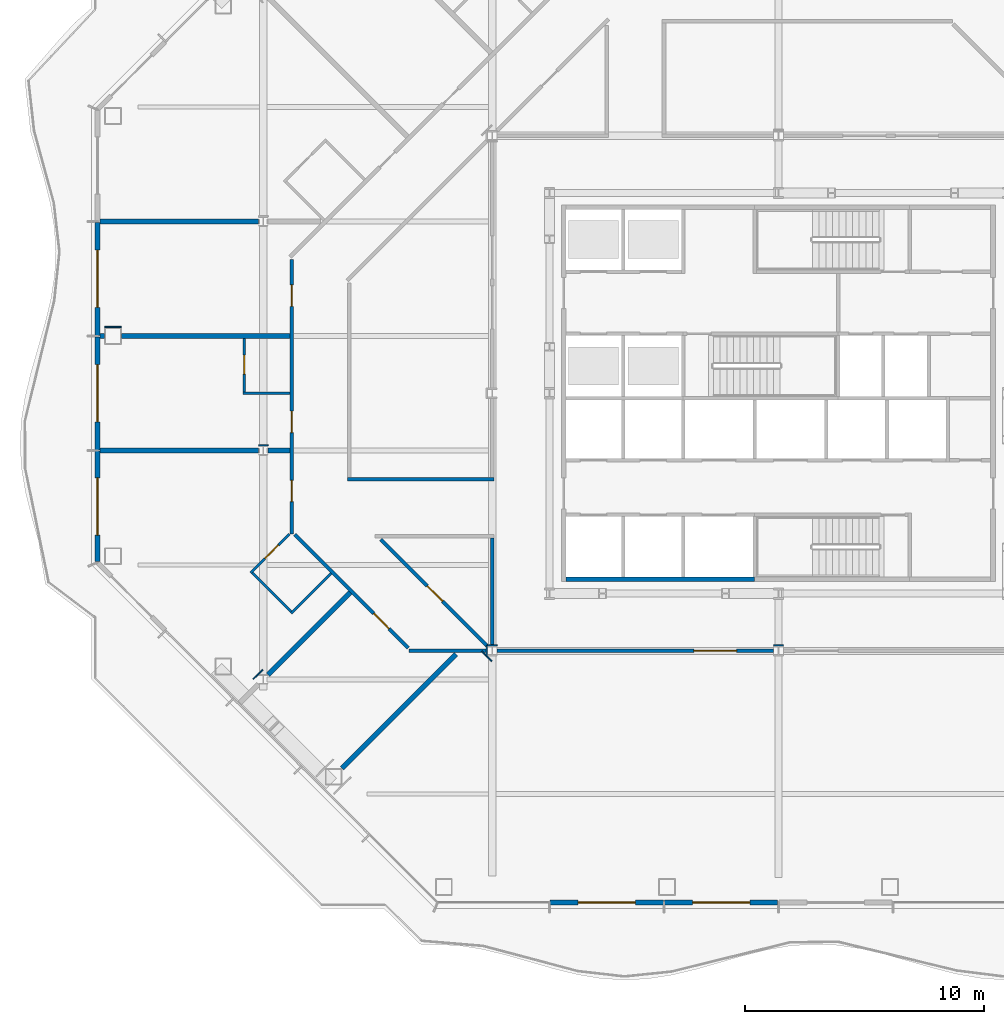
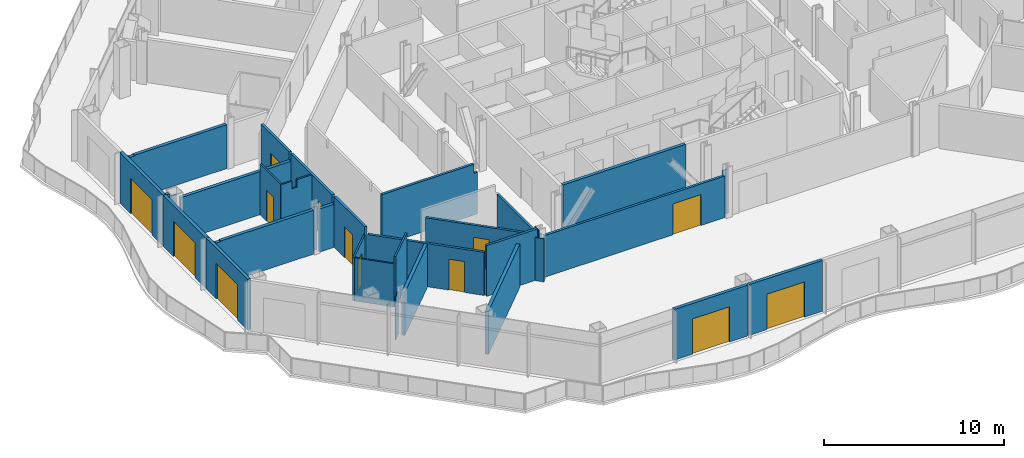
# One storey, part 9 of 24: 32 walls, 13 doors, 13 openings.
"""IFC4 building model written with IfcOpenShell, lengths in metres."""

from ifc_helpers import new_model, si_unit, direction, frame, frame_2d, origin, place, context, subcontext, project, spatial, polyline, rectangle, outline, extrude, material, layer, layer_set, type_object, element, fill, save


model = new_model("IFC4")

# Units and contexts
model_context = context("Model", 3, precision=1e-05, world=origin(), true_north=direction((0.0, 1.0)))
body_context = subcontext(model_context, "Body", "Model", "MODEL_VIEW")
ifc_project = project(units=[si_unit("LENGTHUNIT", "METRE"), si_unit("AREAUNIT", "SQUARE_METRE"), si_unit("VOLUMEUNIT", "CUBIC_METRE"), si_unit("PLANEANGLEUNIT", "RADIAN"), si_unit("MASSUNIT", "GRAM", prefix="KILO")], contexts=[model_context])

# Site, building, storey
site_placement = place(None, origin())
site = spatial("IfcSite", under=ifc_project, at=site_placement, CompositionType="ELEMENT")
building_placement = place(site_placement, origin())
building = spatial("IfcBuilding", under=site, at=building_placement, Name="Cairn Pilgrim Tower", CompositionType="ELEMENT")
storey_placement = place(building_placement, frame((0.0, 0.0, 125.39990234375)))
storey = spatial("IfcBuildingStorey", under=building, at=storey_placement, Name="L30", CompositionType="ELEMENT", Elevation=125.39990234375)

# Wall, opening, door
ifc_material_1 = material(Name="Bronze anodised aluminium insulated sandwich panel with mineral wool fill", Category="aluminium")
ifc_layer_1 = layer(ifc_material_1, 0.199951171875)
ifc_layer_set_1 = layer_set([ifc_layer_1], Name="BRONZE INFILL FRAME WALL 200")
wall_type_1 = type_object("IfcWallType", Name="BRONZE INFILL FRAME WALL 200", PredefinedType="NOTDEFINED", material=ifc_layer_set_1)
wall_1_placement = place(storey_placement, frame((-2.3701171875, -18.949951171875, 0.0), z_axis=(0.0, 0.0, 1.0), x_axis=(1.0, 0.0, 0.0)))
wall_1 = element("IfcWall", 1, at=wall_1_placement, inside=storey, type_object=wall_type_1, Name="Bronze infill frame wall IW-S2", PredefinedType="NOTDEFINED", context=body_context, shape_type="SweptSolid", body=[
    extrude(rectangle(XDim=4.740234375, YDim=0.199951171875, at=frame_2d((2.3701171875, 0.0))), origin(), (0.0, 0.0, 1.0), 3.4501953125),
])
opening_1_placement = place(wall_1_placement, frame((1.169921875, 0.0, 0.0)))
opening_1 = element("IfcOpeningElement", 2, at=opening_1_placement, cuts=wall_1, Name="Opening 3001B2", PredefinedType="OPENING", context=body_context, shape_type="SweptSolid", body=[
    extrude(rectangle(XDim=2.39990234375, YDim=2.39990234375, at=frame_2d((1.199951171875, 1.199951171875))), frame((0.0, 0.10986328125, 0.0), z_axis=(0.0, -1.0, 0.0), x_axis=(1.0, 0.0, 0.0)), (0.0, 0.0, 1.0), 0.219970703125),
])
ifc_material_2 = material(Name="Bronze anodised aluminium frame with tinted low-E glass", Category="aluminium")
door_type_1 = type_object("IfcDoorType", Name="BALCONY SLIDING DOOR 2400x2400", OperationType="DOUBLE_DOOR_SLIDING", PredefinedType="DOOR", material=ifc_material_2)
door_1_placement = place(opening_1_placement, origin())
door_1 = element("IfcDoor", 3, at=door_1_placement, inside=storey, type_object=door_type_1, Name="Balcony sliding door 3001B2", OperationType="SINGLE_SWING_LEFT", OverallHeight=2.39990234375, OverallWidth=2.39990234375, PredefinedType="DOOR", context=body_context, shape_type="SweptSolid", body=[
    extrude(rectangle(XDim=2.39990234375, YDim=2.39990234375, at=frame_2d((1.199951171875, 1.199951171875))), frame((0.0, 0.02490234375, 0.0), z_axis=(0.0, -1.0, 0.0), x_axis=(1.0, 0.0, 0.0)), (0.0, 0.0, 1.0), 0.050048828125),
])
fill(opening_1, door_1)

wall_2_placement = place(storey_placement, frame((2.429931640625, -18.949951171875, 0.0), z_axis=(0.0, 0.0, 1.0), x_axis=(1.0, 0.0, 0.0)))
wall_2 = element("IfcWall", 4, at=wall_2_placement, inside=storey, type_object=wall_type_1, Name="Bronze infill frame wall IW-S3", PredefinedType="NOTDEFINED", context=body_context, shape_type="SweptSolid", body=[
    extrude(rectangle(XDim=4.739990234375, YDim=0.199951171875, at=frame_2d((2.3701171875, 0.0))), origin(), (0.0, 0.0, 1.0), 3.4501953125),
])
opening_2_placement = place(wall_2_placement, frame((1.169921875, 0.0, 0.0)))
opening_2 = element("IfcOpeningElement", 5, at=opening_2_placement, cuts=wall_2, Name="Opening 3001B", PredefinedType="OPENING", context=body_context, shape_type="SweptSolid", body=[
    extrude(rectangle(XDim=2.39990234375, YDim=2.39990234375, at=frame_2d((1.199951171875, 1.199951171875))), frame((0.0, 0.10986328125, 0.0), z_axis=(0.0, -1.0, 0.0), x_axis=(1.0, 0.0, 0.0)), (0.0, 0.0, 1.0), 0.219970703125),
])
door_2_placement = place(opening_2_placement, origin())
door_2 = element("IfcDoor", 6, at=door_2_placement, inside=storey, type_object=door_type_1, Name="Balcony sliding door 3001B", OperationType="SINGLE_SWING_LEFT", OverallHeight=2.39990234375, OverallWidth=2.39990234375, PredefinedType="DOOR", context=body_context, shape_type="SweptSolid", body=[
    extrude(rectangle(XDim=2.39990234375, YDim=2.39990234375, at=frame_2d((1.199951171875, 1.199951171875))), frame((0.0, 0.02490234375, 0.0), z_axis=(0.0, -1.0, 0.0), x_axis=(1.0, 0.0, 0.0)), (0.0, 0.0, 1.0), 0.050048828125),
])
fill(opening_2, door_2)

wall_3_placement = place(storey_placement, frame((-21.35009765625, 9.570068359375, 0.0), z_axis=(0.0, 0.0, 1.0), x_axis=(0.0, -1.0, 0.0)))
wall_3 = element("IfcWall", 7, at=wall_3_placement, inside=storey, type_object=wall_type_1, Name="Bronze infill frame wall IW-W2", PredefinedType="NOTDEFINED", context=body_context, shape_type="SweptSolid", body=[
    extrude(rectangle(XDim=4.739990234375, YDim=0.199951171875, at=frame_2d((2.3701171875, 0.0))), origin(), (0.0, 0.0, 1.0), 3.4501953125),
])
opening_3_placement = place(wall_3_placement, frame((1.169921875, 0.0, 0.0)))
opening_3 = element("IfcOpeningElement", 8, at=opening_3_placement, cuts=wall_3, Name="Opening 3013B", PredefinedType="OPENING", context=body_context, shape_type="SweptSolid", body=[
    extrude(rectangle(XDim=2.39990234375, YDim=2.39990234375, at=frame_2d((1.199951171875, 1.199951171875))), frame((0.0, 0.10986328125, 0.0), z_axis=(0.0, -1.0, 0.0), x_axis=(1.0, 0.0, 0.0)), (0.0, 0.0, 1.0), 0.219970703125),
])
door_3_placement = place(opening_3_placement, origin())
door_3 = element("IfcDoor", 9, at=door_3_placement, inside=storey, type_object=door_type_1, Name="Balcony sliding door 3013B", OperationType="SINGLE_SWING_LEFT", OverallHeight=2.39990234375, OverallWidth=2.39990234375, PredefinedType="DOOR", context=body_context, shape_type="SweptSolid", body=[
    extrude(rectangle(XDim=2.39990234375, YDim=2.39990234375, at=frame_2d((1.199951171875, 1.199951171875))), frame((0.0, 0.02490234375, 0.0), z_axis=(0.0, -1.0, 0.0), x_axis=(1.0, 0.0, 0.0)), (0.0, 0.0, 1.0), 0.050048828125),
])
fill(opening_3, door_3)

wall_4_placement = place(storey_placement, frame((-21.35009765625, 4.77001953125, 0.0), z_axis=(0.0, 0.0, 1.0), x_axis=(0.0, -1.0, 0.0)))
wall_4 = element("IfcWall", 10, at=wall_4_placement, inside=storey, type_object=wall_type_1, Name="Bronze infill frame wall IW-W3", PredefinedType="NOTDEFINED", context=body_context, shape_type="SweptSolid", body=[
    extrude(rectangle(XDim=4.739990234375, YDim=0.199951171875, at=frame_2d((2.3701171875, 0.0))), origin(), (0.0, 0.0, 1.0), 3.4501953125),
])
opening_4_placement = place(wall_4_placement, frame((1.169921875, 0.0, 0.0)))
opening_4 = element("IfcOpeningElement", 11, at=opening_4_placement, cuts=wall_4, Name="Opening 3014B", PredefinedType="OPENING", context=body_context, shape_type="SweptSolid", body=[
    extrude(rectangle(XDim=2.39990234375, YDim=2.39990234375, at=frame_2d((1.199951171875, 1.199951171875))), frame((0.0, 0.10986328125, 0.0), z_axis=(0.0, -1.0, 0.0), x_axis=(1.0, 0.0, 0.0)), (0.0, 0.0, 1.0), 0.219970703125),
])
door_4_placement = place(opening_4_placement, origin())
door_4 = element("IfcDoor", 12, at=door_4_placement, inside=storey, type_object=door_type_1, Name="Balcony sliding door 3014B", OperationType="SINGLE_SWING_LEFT", OverallHeight=2.39990234375, OverallWidth=2.39990234375, PredefinedType="DOOR", context=body_context, shape_type="SweptSolid", body=[
    extrude(rectangle(XDim=2.39990234375, YDim=2.39990234375, at=frame_2d((1.199951171875, 1.199951171875))), frame((0.0, 0.02490234375, 0.0), z_axis=(0.0, -1.0, 0.0), x_axis=(1.0, 0.0, 0.0)), (0.0, 0.0, 1.0), 0.050048828125),
])
fill(opening_4, door_4)

wall_5_placement = place(storey_placement, frame((-21.35009765625, -0.030029296875, 0.0), z_axis=(0.0, 0.0, 1.0), x_axis=(0.0, -1.0, 0.0)))
wall_5 = element("IfcWall", 13, at=wall_5_placement, inside=storey, type_object=wall_type_1, Name="Bronze infill frame wall IW-W4", PredefinedType="NOTDEFINED", context=body_context, shape_type="SweptSolid", body=[
    extrude(rectangle(XDim=4.62646484375, YDim=0.199951171875, at=frame_2d((2.313232421875, 0.0))), origin(), (0.0, 0.0, 1.0), 3.4501953125),
])
opening_5_placement = place(wall_5_placement, frame((1.117919921875, 0.0, 0.0)))
opening_5 = element("IfcOpeningElement", 14, at=opening_5_placement, cuts=wall_5, Name="Opening 3015B", PredefinedType="OPENING", context=body_context, shape_type="SweptSolid", body=[
    extrude(rectangle(XDim=2.39990234375, YDim=2.39990234375, at=frame_2d((1.199951171875, 1.199951171875))), frame((0.0, 0.10986328125, 0.0), z_axis=(0.0, -1.0, 0.0), x_axis=(1.0, 0.0, 0.0)), (0.0, 0.0, 1.0), 0.219970703125),
])
door_5_placement = place(opening_5_placement, origin())
door_5 = element("IfcDoor", 15, at=door_5_placement, inside=storey, type_object=door_type_1, Name="Balcony sliding door 3015B", OperationType="SINGLE_SWING_LEFT", OverallHeight=2.39990234375, OverallWidth=2.39990234375, PredefinedType="DOOR", context=body_context, shape_type="SweptSolid", body=[
    extrude(rectangle(XDim=2.39990234375, YDim=2.39990234375, at=frame_2d((1.199951171875, 1.199951171875))), frame((0.0, 0.02490234375, 0.0), z_axis=(0.0, -1.0, 0.0), x_axis=(1.0, 0.0, 0.0)), (0.0, 0.0, 1.0), 0.050048828125),
])
fill(opening_5, door_5)

# Walls
ifc_material_3 = material(Name="Concrete C32/40", Category="concrete")
ifc_layer_2 = layer(ifc_material_3, 0.199951171875)
ifc_layer_set_2 = layer_set([ifc_layer_2], Name="CORE OUTER WALL 200 EI 120")
wall_type_2 = type_object("IfcWallType", Name="CORE OUTER WALL 200 EI 120", PredefinedType="SOLIDWALL", material=ifc_layer_set_2)
wall_6_placement = place(storey_placement, frame((-1.699951171875, -5.39990234375, 0.0), z_axis=(0.0, 0.0, 1.0), x_axis=(1.0, 0.0, 0.0)))
element("IfcWall", 16, at=wall_6_placement, inside=storey, type_object=wall_type_2, Name="CW:L30:H01-1", PredefinedType="SOLIDWALL", context=body_context, shape_type="SweptSolid", body=[
    extrude(rectangle(XDim=7.89990234375, YDim=0.199951171875, at=frame_2d((3.949951171875, 0.0))), origin(), (0.0, 0.0, 1.0), 3.4501953125),
])
ifc_material_4 = material(Name="Gypsum partition")
ifc_layer_3 = layer(ifc_material_4, 0.10009765625)
ifc_layer_set_3 = layer_set([ifc_layer_3], Name="PARTITION 100 DRYWALL")
wall_type_3 = type_object("IfcWallType", Name="PARTITION 100 DRYWALL", PredefinedType="PARTITIONING", material=ifc_layer_set_3)
wall_7_placement = place(storey_placement, frame((-13.2353515625, -6.752685546875, 0.0), z_axis=(0.0, 0.0, 1.0), x_axis=(-0.707106781187, 0.707106781187, 0.0)))
element("IfcWall", 17, at=wall_7_placement, inside=storey, type_object=wall_type_3, Name="PARTITION W016", PredefinedType="PARTITIONING", context=body_context, shape_type="SweptSolid", body=[
    extrude(rectangle(XDim=2.2998046875, YDim=0.10009765625, at=frame_2d((1.14990234375, 0.0))), origin(), (0.0, 0.0, 1.0), 2.93017578125),
])
wall_8_placement = place(storey_placement, frame((-13.2353515625, -6.823486328125, 0.0), z_axis=(0.0, 0.0, 1.0), x_axis=(0.707106781187, 0.707106781187, 0.0)))
element("IfcWall", 18, at=wall_8_placement, inside=storey, type_object=wall_type_3, Name="PARTITION W017", PredefinedType="PARTITIONING", context=body_context, shape_type="SweptSolid", body=[
    extrude(rectangle(XDim=2.375, YDim=0.10009765625, at=frame_2d((1.1875, 0.0))), origin(), (0.0, 0.0, 1.0), 3.4501953125),
])

# Wall, opening, door
wall_9_placement = place(storey_placement, frame((-14.932373046875, -5.12646484375, 0.0), z_axis=(0.0, 0.0, 1.0), x_axis=(0.707106781187, 0.707106781187, 0.0)))
wall_9 = element("IfcWall", 19, at=wall_9_placement, inside=storey, type_object=wall_type_3, Name="PARTITION W019", PredefinedType="PARTITIONING", context=body_context, shape_type="SweptSolid", body=[
    extrude(rectangle(XDim=2.2939453125, YDim=0.10009765625, at=frame_2d((1.14697265625, 0.0))), origin(), (0.0, 0.0, 1.0), 2.93017578125),
])
opening_6_placement = place(wall_9_placement, frame((0.849853515625, 0.0, 0.0)))
opening_6 = element("IfcOpeningElement", 20, at=opening_6_placement, cuts=wall_9, Name="Opening 3015A", PredefinedType="OPENING", context=body_context, shape_type="SweptSolid", body=[
    extrude(rectangle(XDim=0.800048828125, YDim=2.10009765625, at=frame_2d((0.39990234375, 1.050048828125))), frame((0.0, 0.06005859375, 0.0), z_axis=(0.0, -1.0, 0.0), x_axis=(1.0, 0.0, 0.0)), (0.0, 0.0, 1.0), 0.1201171875),
])
ifc_material_5 = material(Name="Timber door leaf", Category="wood")
door_type_2 = type_object("IfcDoorType", Name="WC DOOR 800x2100", OperationType="NOTDEFINED", PredefinedType="DOOR", material=ifc_material_5)
door_6_placement = place(opening_6_placement, origin())
door_6 = element("IfcDoor", 21, at=door_6_placement, inside=storey, type_object=door_type_2, Name="DOOR 3015A", OperationType="SINGLE_SWING_RIGHT", OverallHeight=2.10009765625, OverallWidth=0.800048828125, PredefinedType="DOOR", context=body_context, shape_type="SweptSolid", body=[
    extrude(rectangle(XDim=0.800048828125, YDim=2.10009765625, at=frame_2d((0.39990234375, 1.050048828125))), frame((0.0, 0.02490234375, 0.0), z_axis=(0.0, -1.0, 0.0), x_axis=(1.0, 0.0, 0.0)), (0.0, 0.0, 1.0), 0.050048828125),
])
fill(opening_6, door_6)

# Wall
wall_10_placement = place(storey_placement, frame((-15.25, 2.39990234375, 0.0), z_axis=(0.0, 0.0, 1.0), x_axis=(1.0, 0.0, 0.0)))
element("IfcWall", 22, at=wall_10_placement, inside=storey, type_object=wall_type_3, Name="PARTITION W039", PredefinedType="PARTITIONING", context=body_context, shape_type="SweptSolid", body=[
    extrude(outline(polyline([(0.0, 0.0), (1.97509765625, 0.0), (1.97509765625, 3.4501953125), (1.0, 3.4501953125), (0.998046875, 2.93017578125), (0.699951171875, 2.93017578125), (0.697998046875, 3.4501953125), (0.0, 3.4501953125), (0.0, 0.0)])), frame((0.0, 0.050048828125, 0.0), z_axis=(0.0, -1.0, 0.0), x_axis=(1.0, 0.0, 0.0)), (0.0, 0.0, 1.0), 0.10009765625),
])

# Wall, opening, door
wall_11_placement = place(storey_placement, frame((-15.199951171875, 2.449951171875, 0.0), z_axis=(0.0, 0.0, 1.0), x_axis=(0.0, 1.0, 0.0)))
wall_11 = element("IfcWall", 23, at=wall_11_placement, inside=storey, type_object=wall_type_3, Name="PARTITION W040", PredefinedType="PARTITIONING", context=body_context, shape_type="SweptSolid", body=[
    extrude(rectangle(XDim=2.25, YDim=0.10009765625, at=frame_2d((1.125, 0.0))), origin(), (0.0, 0.0, 1.0), 3.4501953125),
])
opening_7_placement = place(wall_11_placement, frame((0.75, 0.0, 0.0)))
opening_7 = element("IfcOpeningElement", 24, at=opening_7_placement, cuts=wall_11, Name="Opening 3014A", PredefinedType="OPENING", context=body_context, shape_type="SweptSolid", body=[
    extrude(rectangle(XDim=0.800048828125, YDim=2.10009765625, at=frame_2d((0.39990234375, 1.050048828125))), frame((0.0, 0.06005859375, 0.0), z_axis=(0.0, -1.0, 0.0), x_axis=(1.0, 0.0, 0.0)), (0.0, 0.0, 1.0), 0.1201171875),
])
door_7_placement = place(opening_7_placement, origin())
door_7 = element("IfcDoor", 25, at=door_7_placement, inside=storey, type_object=door_type_2, Name="DOOR 3014A", OperationType="SINGLE_SWING_RIGHT", OverallHeight=2.10009765625, OverallWidth=0.800048828125, PredefinedType="DOOR", context=body_context, shape_type="SweptSolid", body=[
    extrude(rectangle(XDim=0.800048828125, YDim=2.10009765625, at=frame_2d((0.39990234375, 1.050048828125))), frame((0.0, 0.02490234375, 0.0), z_axis=(0.0, -1.0, 0.0), x_axis=(1.0, 0.0, 0.0)), (0.0, 0.0, 1.0), 0.050048828125),
])
fill(opening_7, door_7)

# Wall
ifc_layer_4 = layer(ifc_material_4, 0.14990234375)
ifc_layer_set_4 = layer_set([ifc_layer_4], Name="PARTITION 150 DRYWALL EI 60")
wall_type_4 = type_object("IfcWallType", Name="PARTITION 150 DRYWALL EI 60", PredefinedType="PARTITIONING", material=ifc_layer_set_4)
wall_12_placement = place(storey_placement, frame((-8.300048828125, -8.39990234375, 0.0), z_axis=(0.0, 0.0, 1.0), x_axis=(1.0, 0.0, 0.0)))
element("IfcWall", 26, at=wall_12_placement, inside=storey, type_object=wall_type_4, Name="PARTITION W006", PredefinedType="PARTITIONING", context=body_context, shape_type="SweptSolid", body=[
    extrude(rectangle(XDim=3.295654296875, YDim=0.14990234375, at=frame_2d((1.64794921875, 0.0))), origin(), (0.0, 0.0, 1.0), 3.4501953125),
])

# Wall, opening, door
wall_13_placement = place(storey_placement, frame((-4.595458984375, -8.39990234375, 0.0), z_axis=(0.0, 0.0, 1.0), x_axis=(1.0, 0.0, 0.0)))
wall_13 = element("IfcWall", 27, at=wall_13_placement, inside=storey, type_object=wall_type_4, Name="PARTITION W007", PredefinedType="PARTITIONING", context=body_context, shape_type="SweptSolid", body=[
    extrude(rectangle(XDim=11.591064453125, YDim=0.14990234375, at=frame_2d((5.79541015625, 0.0))), origin(), (0.0, 0.0, 1.0), 2.830078125),
])
opening_8_placement = place(wall_13_placement, frame((8.245361328125, 0.0, 0.0)))
opening_8 = element("IfcOpeningElement", 28, at=opening_8_placement, cuts=wall_13, Name="Opening 3001A", PredefinedType="OPENING", context=body_context, shape_type="SweptSolid", body=[
    extrude(rectangle(XDim=1.800048828125, YDim=2.10009765625, at=frame_2d((0.89990234375, 1.050048828125))), frame((0.0, 0.0849609375, 0.0), z_axis=(0.0, -1.0, 0.0), x_axis=(1.0, 0.0, 0.0)), (0.0, 0.0, 1.0), 0.169921875),
])
door_type_3 = type_object("IfcDoorType", Name="DOOR PAIR 1800x2100 FD60S", OperationType="NOTDEFINED", PredefinedType="DOOR", material=ifc_material_5)
door_8_placement = place(opening_8_placement, frame((1.800048828125, 0.0, 0.0), z_axis=(0.0, 0.0, 1.0), x_axis=(-1.0, 0.0, 0.0)))
door_8 = element("IfcDoor", 29, at=door_8_placement, inside=storey, type_object=door_type_3, Name="DOOR 3001A", OperationType="DOUBLE_DOOR_SINGLE_SWING", OverallHeight=2.10009765625, OverallWidth=1.800048828125, PredefinedType="DOOR", context=body_context, shape_type="SweptSolid", body=[
    extrude(rectangle(XDim=1.800048828125, YDim=2.10009765625, at=frame_2d((0.89990234375, 1.050048828125))), frame((0.0, 0.02490234375, 0.0), z_axis=(0.0, -1.0, 0.0), x_axis=(1.0, 0.0, 0.0)), (0.0, 0.0, 1.0), 0.050048828125),
])
fill(opening_8, door_8)

wall_14_placement = place(storey_placement, frame((-8.322021484375, -8.27197265625, 0.0), z_axis=(0.0, 0.0, 1.0), x_axis=(-0.707106781187, 0.707106781187, 0.0)))
wall_14 = element("IfcWall", 30, at=wall_14_placement, inside=storey, type_object=wall_type_4, Name="PARTITION W010", PredefinedType="PARTITIONING", context=body_context, shape_type="SweptSolid", body=[
    extrude(rectangle(XDim=6.717529296875, YDim=0.14990234375, at=frame_2d((3.35888671875, 0.0))), origin(), (0.0, 0.0, 1.0), 2.93017578125),
])
opening_9_placement = place(wall_14_placement, frame((1.138916015625, 0.0, 0.0)))
opening_9 = element("IfcOpeningElement", 31, at=opening_9_placement, cuts=wall_14, Name="Opening 3016", PredefinedType="OPENING", context=body_context, shape_type="SweptSolid", body=[
    extrude(rectangle(XDim=0.89990234375, YDim=2.10009765625, at=frame_2d((0.449951171875, 1.050048828125))), frame((0.0, 0.0849609375, 0.0), z_axis=(0.0, -1.0, 0.0), x_axis=(1.0, 0.0, 0.0)), (0.0, 0.0, 1.0), 0.169921875),
])
door_type_4 = type_object("IfcDoorType", Name="SERVICE DOOR 900x2100 FD30S", OperationType="NOTDEFINED", PredefinedType="DOOR", material=ifc_material_5)
door_9_placement = place(opening_9_placement, origin())
door_9 = element("IfcDoor", 32, at=door_9_placement, inside=storey, type_object=door_type_4, Name="DOOR 3016", OperationType="SINGLE_SWING_RIGHT", OverallHeight=2.10009765625, OverallWidth=0.89990234375, PredefinedType="DOOR", context=body_context, shape_type="SweptSolid", body=[
    extrude(rectangle(XDim=0.89990234375, YDim=2.10009765625, at=frame_2d((0.449951171875, 1.050048828125))), frame((0.0, 0.02490234375, 0.0), z_axis=(0.0, -1.0, 0.0), x_axis=(1.0, 0.0, 0.0)), (0.0, 0.0, 1.0), 0.050048828125),
])
fill(opening_9, door_9)

wall_15_placement = place(storey_placement, frame((-5.008544921875, -8.19140625, 0.0), z_axis=(0.0, 0.0, 1.0), x_axis=(-0.707106781187, 0.707106781187, 0.0)))
wall_15 = element("IfcWall", 33, at=wall_15_placement, inside=storey, type_object=wall_type_4, Name="PARTITION W012", PredefinedType="PARTITIONING", context=body_context, shape_type="SweptSolid", body=[
    extrude(rectangle(XDim=6.312255859375, YDim=0.14990234375, at=frame_2d((3.15625, 0.0))), origin(), (0.0, 0.0, 1.0), 2.93017578125),
])
opening_10_placement = place(wall_15_placement, frame((2.6494140625, 0.0, 0.0)))
opening_10 = element("IfcOpeningElement", 34, at=opening_10_placement, cuts=wall_15, Name="Opening 3024", PredefinedType="OPENING", context=body_context, shape_type="SweptSolid", body=[
    extrude(rectangle(XDim=0.89990234375, YDim=2.10009765625, at=frame_2d((0.449951171875, 1.050048828125))), frame((0.0, 0.0849609375, 0.0), z_axis=(0.0, -1.0, 0.0), x_axis=(1.0, 0.0, 0.0)), (0.0, 0.0, 1.0), 0.169921875),
])
door_10_placement = place(opening_10_placement, frame((0.89990234375, 0.0, 0.0), z_axis=(0.0, 0.0, 1.0), x_axis=(-1.0, 0.0, 0.0)))
door_10 = element("IfcDoor", 35, at=door_10_placement, inside=storey, type_object=door_type_4, Name="DOOR 3024", OperationType="SINGLE_SWING_LEFT", OverallHeight=2.10009765625, OverallWidth=0.89990234375, PredefinedType="DOOR", context=body_context, shape_type="SweptSolid", body=[
    extrude(rectangle(XDim=0.89990234375, YDim=2.10009765625, at=frame_2d((0.449951171875, 1.050048828125))), frame((0.0, 0.02490234375, 0.0), z_axis=(0.0, -1.0, 0.0), x_axis=(1.0, 0.0, 0.0)), (0.0, 0.0, 1.0), 0.050048828125),
])
fill(opening_10, door_10)

# Wall
wall_16_placement = place(storey_placement, frame((-4.800048828125, -8.1875, 0.0), z_axis=(0.0, 0.0, 1.0), x_axis=(0.0, 1.0, 0.0)))
element("IfcWall", 36, at=wall_16_placement, inside=storey, type_object=wall_type_4, Name="PARTITION W013", PredefinedType="PARTITIONING", context=body_context, shape_type="SweptSolid", body=[
    extrude(rectangle(XDim=4.512451171875, YDim=0.14990234375, at=frame_2d((2.25634765625, 0.0))), origin(), (0.0, 0.0, 1.0), 2.830078125),
])

# Wall, openings, doors
wall_17_placement = place(storey_placement, frame((-13.199951171875, -3.5, 0.0), z_axis=(0.0, 0.0, 1.0), x_axis=(0.0, 1.0, 0.0)))
wall_17 = element("IfcWall", 37, at=wall_17_placement, inside=storey, type_object=wall_type_4, Name="PARTITION W023", PredefinedType="PARTITIONING", context=body_context, shape_type="SweptSolid", body=[
    extrude(outline(polyline([(0.0, 0.0), (11.512939453125, 0.0), (11.512939453125, 3.4501953125), (8.400146484375, 3.4501953125), (8.398193359375, 2.93017578125), (8.2001953125, 2.93017578125), (8.197998046875, 3.4501953125), (3.60009765625, 3.4501953125), (3.59814453125, 2.93017578125), (3.400146484375, 2.93017578125), (3.398193359375, 3.4501953125), (0.0, 3.4501953125), (0.0, 0.0)])), frame((0.0, 0.074951171875, 0.0), z_axis=(0.0, -1.0, 0.0), x_axis=(1.0, 0.0, 0.0)), (0.0, 0.0, 1.0), 0.14990234375),
])
opening_11_placement = place(wall_17_placement, frame((9.547119140625, 0.0, 0.0)))
opening_11 = element("IfcOpeningElement", 38, at=opening_11_placement, cuts=wall_17, Name="Opening 3013", PredefinedType="OPENING", context=body_context, shape_type="SweptSolid", body=[
    extrude(rectangle(XDim=0.89990234375, YDim=2.10009765625, at=frame_2d((0.449951171875, 1.050048828125))), frame((0.0, 0.0849609375, 0.0), z_axis=(0.0, -1.0, 0.0), x_axis=(1.0, 0.0, 0.0)), (0.0, 0.0, 1.0), 0.169921875),
])
opening_12_placement = place(wall_17_placement, frame((4.25, 0.0, 0.0)))
opening_12 = element("IfcOpeningElement", 39, at=opening_12_placement, cuts=wall_17, Name="Opening 3014", PredefinedType="OPENING", context=body_context, shape_type="SweptSolid", body=[
    extrude(rectangle(XDim=0.89990234375, YDim=2.10009765625, at=frame_2d((0.449951171875, 1.050048828125))), frame((0.0, 0.0849609375, 0.0), z_axis=(0.0, -1.0, 0.0), x_axis=(1.0, 0.0, 0.0)), (0.0, 0.0, 1.0), 0.169921875),
])
opening_13_placement = place(wall_17_placement, frame((1.35302734375, 0.0, 0.0)))
opening_13 = element("IfcOpeningElement", 40, at=opening_13_placement, cuts=wall_17, Name="Opening 3015", PredefinedType="OPENING", context=body_context, shape_type="SweptSolid", body=[
    extrude(rectangle(XDim=0.89990234375, YDim=2.10009765625, at=frame_2d((0.449951171875, 1.050048828125))), frame((0.0, 0.0849609375, 0.0), z_axis=(0.0, -1.0, 0.0), x_axis=(1.0, 0.0, 0.0)), (0.0, 0.0, 1.0), 0.169921875),
])
door_type_5 = type_object("IfcDoorType", Name="ROOM DOOR 900x2100 FD30S", OperationType="NOTDEFINED", PredefinedType="DOOR", material=ifc_material_5)
door_11_placement = place(opening_11_placement, origin())
door_11 = element("IfcDoor", 41, at=door_11_placement, inside=storey, type_object=door_type_5, Name="DOOR 3013", OperationType="SINGLE_SWING_RIGHT", OverallHeight=2.10009765625, OverallWidth=0.89990234375, PredefinedType="DOOR", context=body_context, shape_type="SweptSolid", body=[
    extrude(rectangle(XDim=0.89990234375, YDim=2.10009765625, at=frame_2d((0.449951171875, 1.050048828125))), frame((0.0, 0.02490234375, 0.0), z_axis=(0.0, -1.0, 0.0), x_axis=(1.0, 0.0, 0.0)), (0.0, 0.0, 1.0), 0.050048828125),
])
fill(opening_11, door_11)
door_12_placement = place(opening_12_placement, origin())
door_12 = element("IfcDoor", 42, at=door_12_placement, inside=storey, type_object=door_type_5, Name="DOOR 3014", OperationType="SINGLE_SWING_RIGHT", OverallHeight=2.10009765625, OverallWidth=0.89990234375, PredefinedType="DOOR", context=body_context, shape_type="SweptSolid", body=[
    extrude(rectangle(XDim=0.89990234375, YDim=2.10009765625, at=frame_2d((0.449951171875, 1.050048828125))), frame((0.0, 0.02490234375, 0.0), z_axis=(0.0, -1.0, 0.0), x_axis=(1.0, 0.0, 0.0)), (0.0, 0.0, 1.0), 0.050048828125),
])
fill(opening_12, door_12)
door_13_placement = place(opening_13_placement, origin())
door_13 = element("IfcDoor", 43, at=door_13_placement, inside=storey, type_object=door_type_5, Name="DOOR 3015", OperationType="SINGLE_SWING_RIGHT", OverallHeight=2.10009765625, OverallWidth=0.89990234375, PredefinedType="DOOR", context=body_context, shape_type="SweptSolid", body=[
    extrude(rectangle(XDim=0.89990234375, YDim=2.10009765625, at=frame_2d((0.449951171875, 1.050048828125))), frame((0.0, 0.02490234375, 0.0), z_axis=(0.0, -1.0, 0.0), x_axis=(1.0, 0.0, 0.0)), (0.0, 0.0, 1.0), 0.050048828125),
])
fill(opening_13, door_13)

# Walls
wall_18_placement = place(storey_placement, frame((-10.875, -1.199951171875, 0.0), z_axis=(0.0, 0.0, 1.0), x_axis=(1.0, 0.0, 0.0)))
element("IfcWall", 44, at=wall_18_placement, inside=storey, type_object=wall_type_4, Name="PARTITION W026", PredefinedType="PARTITIONING", context=body_context, shape_type="SweptSolid", body=[
    extrude(outline(polyline([(0.0, 0.0), (6.14990234375, 0.0), (6.14990234375, 2.830078125), (5.925048828125, 2.830078125), (5.923095703125, 3.4501953125), (0.0, 3.4501953125), (0.0, 0.0)])), frame((0.0, 0.074951171875, 0.0), z_axis=(0.0, -1.0, 0.0), x_axis=(1.0, 0.0, 0.0)), (0.0, 0.0, 1.0), 0.14990234375),
])
ifc_layer_5 = layer(ifc_material_4, 0.050048828125)
ifc_layer_set_5 = layer_set([ifc_layer_5], Name="PARTITION 50 DRYWALL EI 60")
wall_type_5 = type_object("IfcWallType", Name="PARTITION 50 DRYWALL EI 60", PredefinedType="PARTITIONING", material=ifc_layer_set_5)
wall_19_placement = place(storey_placement, frame((-14.813720703125, -9.582275390625, 0.0), z_axis=(0.0, 0.0, 1.0), x_axis=(0.707106781187, 0.707106781187, 0.0)))
element("IfcWall", 45, at=wall_19_placement, inside=storey, type_object=wall_type_5, Name="COLUMN CASING WC05", PredefinedType="PARTITIONING", context=body_context, shape_type="SweptSolid", body=[
    extrude(rectangle(XDim=0.56005859375, YDim=0.050048828125, at=frame_2d((0.280029296875, 0.0))), origin(), (0.0, 0.0, 1.0), 2.93017578125),
])
wall_20_placement = place(storey_placement, frame((-5.00439453125, -8.16259765625, 0.0), z_axis=(0.0, 0.0, 1.0), x_axis=(1.0, 0.0, 0.0)))
element("IfcWall", 46, at=wall_20_placement, inside=storey, type_object=wall_type_5, Name="COLUMN CASING WC08", PredefinedType="PARTITIONING", context=body_context, shape_type="SweptSolid", body=[
    extrude(rectangle(XDim=0.408935546875, YDim=0.050048828125, at=frame_2d((0.20458984375, 0.0))), origin(), (0.0, 0.0, 1.0), 2.830078125),
])
wall_21_placement = place(storey_placement, frame((6.99560546875, -8.16259765625, 0.0), z_axis=(0.0, 0.0, 1.0), x_axis=(1.0, 0.0, 0.0)))
element("IfcWall", 47, at=wall_21_placement, inside=storey, type_object=wall_type_5, Name="COLUMN CASING WC09", PredefinedType="PARTITIONING", context=body_context, shape_type="SweptSolid", body=[
    extrude(rectangle(XDim=0.408935546875, YDim=0.050048828125, at=frame_2d((0.20458984375, 0.0))), origin(), (0.0, 0.0, 1.0), 3.030029296875),
])
wall_22_placement = place(storey_placement, frame((-4.817626953125, -8.834716796875, 0.0), z_axis=(0.0, 0.0, 1.0), x_axis=(-0.707106781187, 0.707106781187, 0.0)))
element("IfcWall", 48, at=wall_22_placement, inside=storey, type_object=wall_type_5, Name="COLUMN CASING WC11", PredefinedType="PARTITIONING", context=body_context, shape_type="SweptSolid", body=[
    extrude(rectangle(XDim=0.589599609375, YDim=0.050048828125, at=frame_2d((0.294921875, 0.0))), origin(), (0.0, 0.0, 1.0), 2.93017578125),
])
wall_23_placement = place(storey_placement, frame((-5.029541015625, -8.612548828125, 0.0), z_axis=(0.0, 0.0, 1.0), x_axis=(0.0, 1.0, 0.0)))
element("IfcWall", 49, at=wall_23_placement, inside=storey, type_object=wall_type_5, Name="COLUMN CASING WC12", PredefinedType="PARTITIONING", context=body_context, shape_type="SweptSolid", body=[
    extrude(rectangle(XDim=0.425048828125, YDim=0.050048828125, at=frame_2d((0.21240234375, 0.0))), origin(), (0.0, 0.0, 1.0), 3.4501953125),
])
wall_24_placement = place(storey_placement, frame((-14.599609375, 0.221435546875, 0.0), z_axis=(0.0, 0.0, 1.0), x_axis=(1.0, 0.0, 0.0)))
element("IfcWall", 50, at=wall_24_placement, inside=storey, type_object=wall_type_5, Name="COLUMN CASING WC19", PredefinedType="PARTITIONING", context=body_context, shape_type="SweptSolid", body=[
    extrude(rectangle(XDim=0.399169921875, YDim=0.050048828125, at=frame_2d((0.19970703125, 0.0))), origin(), (0.0, 0.0, 1.0), 2.93017578125),
])
wall_25_placement = place(storey_placement, frame((-21.050048828125, 5.175048828125, 0.0), z_axis=(0.0, 0.0, 1.0), x_axis=(1.0, 0.0, 0.0)))
element("IfcWall", 51, at=wall_25_placement, inside=storey, type_object=wall_type_5, Name="COLUMN CASING WC21", PredefinedType="PARTITIONING", context=body_context, shape_type="SweptSolid", body=[
    extrude(rectangle(XDim=0.699951171875, YDim=0.050048828125, at=frame_2d((0.35009765625, 0.0))), origin(), (0.0, 0.0, 1.0), 2.93017578125),
])
ifc_layer_6 = layer(ifc_material_4, 0.199951171875)
ifc_layer_set_6 = layer_set([ifc_layer_6], Name="SHAFT WALL 200 GYPSUM EI 60")
wall_type_6 = type_object("IfcWallType", Name="SHAFT WALL 200 GYPSUM EI 60", PredefinedType="PARTITIONING", material=ifc_layer_set_6)
wall_26_placement = place(storey_placement, frame((-11.1015625, -13.32568359375, 0.0), z_axis=(0.0, 0.0, 1.0), x_axis=(0.707088722709, 0.707124839203, 0.0)))
element("IfcWall", 52, at=wall_26_placement, inside=storey, type_object=wall_type_6, Name="PARTITION W001", PredefinedType="PARTITIONING", context=body_context, shape_type="SweptSolid", body=[
    extrude(rectangle(XDim=6.759765625, YDim=0.199951171875, at=frame_2d((3.3798828125, 0.0))), origin(), (0.0, 0.0, 1.0), 2.93017578125),
])
wall_27_placement = place(storey_placement, frame((-14.201904296875, -9.402099609375, 0.0), z_axis=(0.0, 0.0, 1.0), x_axis=(0.707081776084, 0.707131785404, 0.0)))
element("IfcWall", 53, at=wall_27_placement, inside=storey, type_object=wall_type_6, Name="PARTITION W004", PredefinedType="PARTITIONING", context=body_context, shape_type="SweptSolid", body=[
    extrude(rectangle(XDim=4.8818359375, YDim=0.199951171875, at=frame_2d((2.44091796875, 0.0))), origin(), (0.0, 0.0, 1.0), 2.93017578125),
])
wall_28_placement = place(storey_placement, frame((-21.25, 0.0, 0.0), z_axis=(0.0, 0.0, 1.0), x_axis=(1.0, 0.0, 0.0)))
element("IfcWall", 54, at=wall_28_placement, inside=storey, type_object=wall_type_6, Name="PARTITION W034", PredefinedType="PARTITIONING", context=body_context, shape_type="SweptSolid", body=[
    extrude(outline(polyline([(0.0, 0.0), (6.650390625, 0.0), (6.650390625, 2.97998046875), (0.699951171875, 2.97998046875), (0.697998046875, 2.93017578125), (0.39990234375, 2.93017578125), (0.39794921875, 2.97998046875), (0.0, 2.97998046875), (0.0, 0.0)])), frame((0.0, 0.10009765625, 0.0), z_axis=(0.0, -1.0, 0.0), x_axis=(1.0, 0.0, 0.0)), (0.0, 0.0, 1.0), 0.199951171875),
])
wall_29_placement = place(storey_placement, frame((-14.200439453125, 0.0, 0.0), z_axis=(0.0, 0.0, 1.0), x_axis=(1.0, 0.0, 0.0)))
element("IfcWall", 55, at=wall_29_placement, inside=storey, type_object=wall_type_6, Name="PARTITION W035", PredefinedType="PARTITIONING", context=body_context, shape_type="SweptSolid", body=[
    extrude(rectangle(XDim=0.925537109375, YDim=0.199951171875, at=frame_2d((0.462890625, 0.0))), origin(), (0.0, 0.0, 1.0), 2.93017578125),
])
wall_30_placement = place(storey_placement, frame((-21.25, 4.800048828125, 0.0), z_axis=(0.0, 0.0, 1.0), x_axis=(1.0, 0.0, 0.0)))
element("IfcWall", 56, at=wall_30_placement, inside=storey, type_object=wall_type_6, Name="PARTITION W046", PredefinedType="PARTITIONING", context=body_context, shape_type="SweptSolid", body=[
    extrude(rectangle(XDim=0.199951171875, YDim=0.199951171875, at=frame_2d((0.10009765625, 0.0))), origin(), (0.0, 0.0, 1.0), 3.4501953125),
])
wall_31_placement = place(storey_placement, frame((-20.35009765625, 4.800048828125, 0.0), z_axis=(0.0, 0.0, 1.0), x_axis=(1.0, 0.0, 0.0)))
element("IfcWall", 57, at=wall_31_placement, inside=storey, type_object=wall_type_6, Name="PARTITION W047", PredefinedType="PARTITIONING", context=body_context, shape_type="SweptSolid", body=[
    extrude(rectangle(XDim=7.0751953125, YDim=0.199951171875, at=frame_2d((3.53759765625, 0.0))), origin(), (0.0, 0.0, 1.0), 2.93017578125),
])
wall_32_placement = place(storey_placement, frame((-21.25, 9.60009765625, 0.0), z_axis=(0.0, 0.0, 1.0), x_axis=(1.0, 0.0, 0.0)))
element("IfcWall", 58, at=wall_32_placement, inside=storey, type_object=wall_type_6, Name="PARTITION W054", PredefinedType="PARTITIONING", context=body_context, shape_type="SweptSolid", body=[
    extrude(outline(polyline([(0.0, 0.0), (6.650390625, 0.0), (6.650390625, 2.97998046875), (0.699951171875, 2.97998046875), (0.697998046875, 2.93017578125), (0.39990234375, 2.93017578125), (0.39794921875, 2.97998046875), (0.0, 2.97998046875), (0.0, 0.0)])), frame((0.0, 0.10009765625, 0.0), z_axis=(0.0, -1.0, 0.0), x_axis=(1.0, 0.0, 0.0)), (0.0, 0.0, 1.0), 0.199951171875),
])

save(model, "model.ifc")
